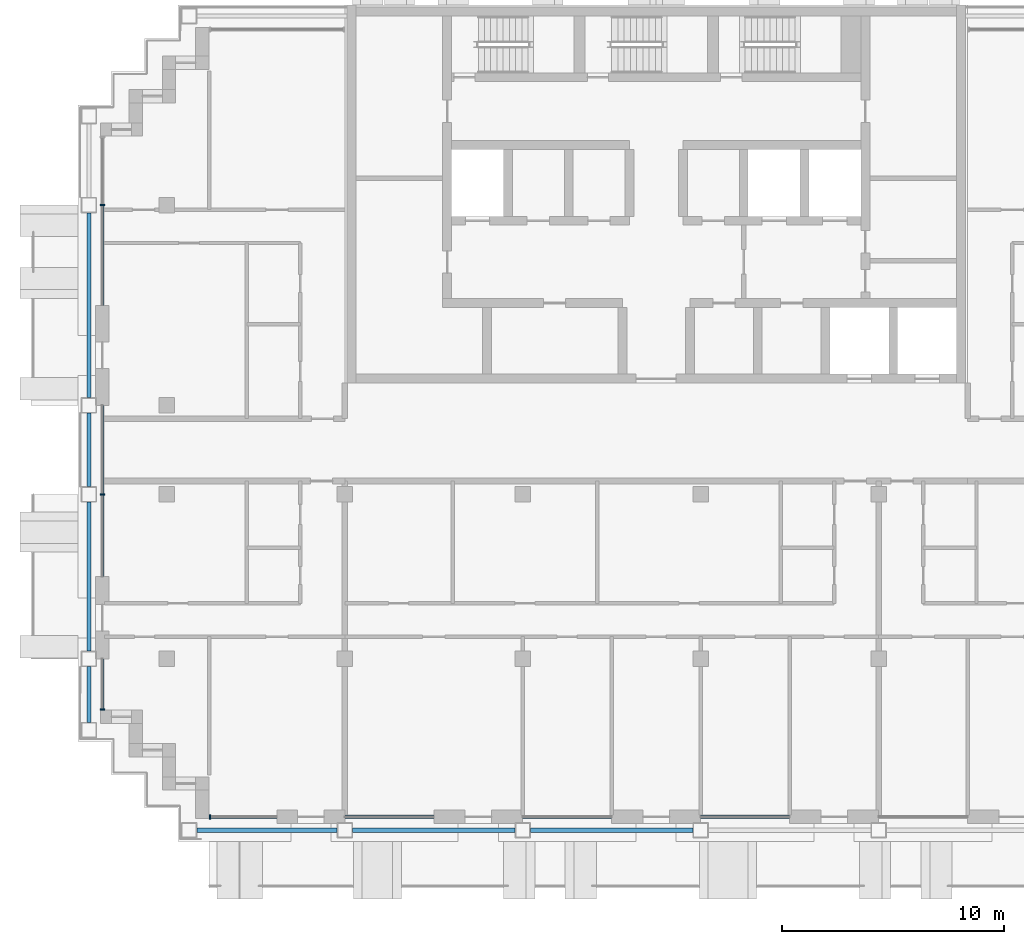
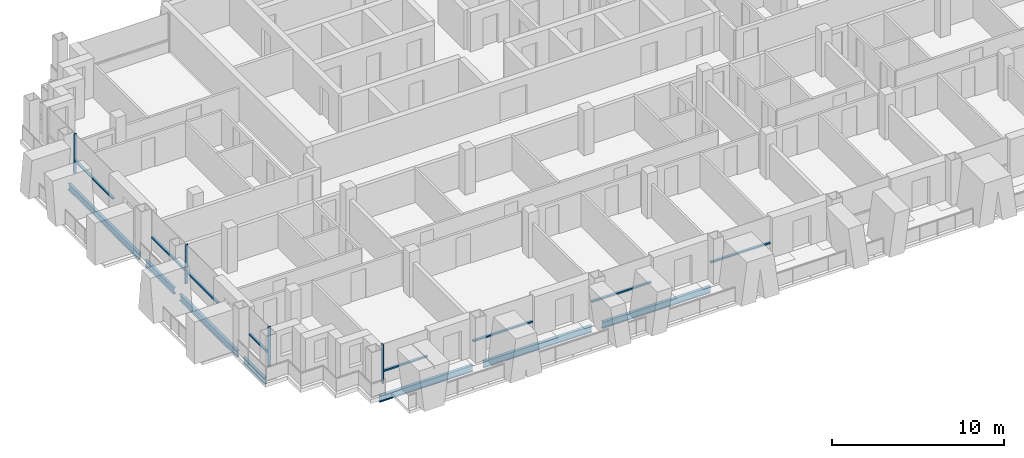
# One storey, part 2 of 16: 12 members, 7 beams, 7 elements without a shape of their own.
"""IFC4 building model written with IfcOpenShell, lengths in metres."""

from ifc_helpers import new_model, si_unit, direction, frame, origin, origin_2d, place, context, subcontext, project, spatial, rectangle, i_section, extrude, material, material_profile, profile_set, type_object, element, aggregate, save


model = new_model("IFC4")

# Units and contexts
model_context = context("Model", 3, precision=1e-05, world=origin(), true_north=direction((0.0, 1.0)))
body_context = subcontext(model_context, "Body", "Model", "MODEL_VIEW")
ifc_project = project(units=[si_unit("LENGTHUNIT", "METRE"), si_unit("AREAUNIT", "SQUARE_METRE"), si_unit("VOLUMEUNIT", "CUBIC_METRE"), si_unit("PLANEANGLEUNIT", "RADIAN"), si_unit("MASSUNIT", "GRAM", prefix="KILO")], contexts=[model_context])

# Site, building, storey
site_placement = place(None, origin())
site = spatial("IfcSite", under=ifc_project, at=site_placement, CompositionType="ELEMENT")
building_placement = place(site_placement, origin())
building = spatial("IfcBuilding", under=site, at=building_placement, Name="Vidyagriha Tower", CompositionType="ELEMENT")
storey_placement = place(building_placement, frame((0.0, 0.0, 190.89990234375)))
storey = spatial("IfcBuildingStorey", under=building, at=storey_placement, Name="L50", CompositionType="ELEMENT", Elevation=190.89990234375)

# Beams
ifc_material_1 = material(Name="Steel ASTM A992 Grade 50", Category="steel")
ifc_material_profile_1 = material_profile(ifc_material_1, i_section(OverallWidth=0.19189453125, OverallDepth=0.46240234375, WebThickness=0.010498046875, FlangeThickness=0.017578125, at=origin_2d()), Name="W18X60")
ifc_profile_set_1 = profile_set([ifc_material_profile_1], Name="Steel ASTM A992 Grade 50")
beam_type = type_object("IfcBeamType", Name="Edge beam W18X60", PredefinedType="SPANDREL", material=ifc_profile_set_1)
beam_1_placement = place(storey_placement, frame((-20.64990234375, -17.10009765625, -0.510986328125), z_axis=(1.0, 0.0, 0.0), x_axis=(0.0, 1.0, 0.0)))
element("IfcBeam", 1, at=beam_1_placement, inside=storey, type_object=beam_type, Name="st-beam-L50-S01", PredefinedType="SPANDREL", context=body_context, shape_type="SweptSolid", body=[
    extrude(i_section(OverallWidth=0.19189453125, OverallDepth=0.46240234375, WebThickness=0.010498046875, FlangeThickness=0.017578125, at=origin_2d()), origin(), (0.0, 0.0, 1.0), 6.2998046875),
])
for number, where, z_axis, x_axis, name in (
    (2, (-13.64990234375, -17.10009765625, -0.510986328125), (1.0, 0.0, 0.0), (0.0, 1.0, 0.0), "st-beam-L50-S02"),
    (3, (-5.64990234375, -17.10009765625, -0.510986328125), (1.0, 0.0, 0.0), (0.0, 1.0, 0.0), "st-beam-L50-S03"),
):
    element("IfcBeam", number, at=place(storey_placement, frame(where, z_axis=z_axis, x_axis=x_axis)), inside=storey, type_object=beam_type, Name=name, PredefinedType="SPANDREL", context=body_context, shape_type="SweptSolid", body=[
        extrude(i_section(OverallWidth=0.19189453125, OverallDepth=0.46240234375, WebThickness=0.010498046875, FlangeThickness=0.017578125, at=origin_2d()), origin(), (0.0, 0.0, 1.0), 7.2998046875),
    ])
beam_2_placement = place(storey_placement, frame((-25.5, -12.25, -0.510986328125), z_axis=(0.0, 1.0, 0.0), x_axis=(-1.0, 0.0, 0.0)))
element("IfcBeam", 4, at=beam_2_placement, inside=storey, type_object=beam_type, Name="st-beam-L50-W08", PredefinedType="SPANDREL", context=body_context, shape_type="SweptSolid", body=[
    extrude(i_section(OverallWidth=0.19189453125, OverallDepth=0.46240234375, WebThickness=0.010498046875, FlangeThickness=0.017578125, at=origin_2d()), origin(), (0.0, 0.0, 1.0), 2.5),
])
beam_3_placement = place(storey_placement, frame((-25.5, -9.050048828125, -0.510986328125), z_axis=(0.0, 1.0, 0.0), x_axis=(-1.0, 0.0, 0.0)))
element("IfcBeam", 5, at=beam_3_placement, inside=storey, type_object=beam_type, Name="st-beam-L50-W09", PredefinedType="SPANDREL", context=body_context, shape_type="SweptSolid", body=[
    extrude(i_section(OverallWidth=0.19189453125, OverallDepth=0.46240234375, WebThickness=0.010498046875, FlangeThickness=0.017578125, at=origin_2d()), origin(), (0.0, 0.0, 1.0), 6.699951171875),
])
beam_4_placement = place(storey_placement, frame((-25.5, -1.64990234375, -0.510986328125), z_axis=(0.0, 1.0, 0.0), x_axis=(-1.0, 0.0, 0.0)))
element("IfcBeam", 6, at=beam_4_placement, inside=storey, type_object=beam_type, Name="st-beam-L50-W10", PredefinedType="SPANDREL", context=body_context, shape_type="SweptSolid", body=[
    extrude(i_section(OverallWidth=0.19189453125, OverallDepth=0.46240234375, WebThickness=0.010498046875, FlangeThickness=0.017578125, at=origin_2d()), origin(), (0.0, 0.0, 1.0), 3.2998046875),
])
beam_5_placement = place(storey_placement, frame((-25.5, 2.35009765625, -0.510986328125), z_axis=(0.0, 1.0, 0.0), x_axis=(-1.0, 0.0, 0.0)))
element("IfcBeam", 7, at=beam_5_placement, inside=storey, type_object=beam_type, Name="st-beam-L50-W11", PredefinedType="SPANDREL", context=body_context, shape_type="SweptSolid", body=[
    extrude(i_section(OverallWidth=0.19189453125, OverallDepth=0.46240234375, WebThickness=0.010498046875, FlangeThickness=0.017578125, at=origin_2d()), origin(), (0.0, 0.0, 1.0), 8.2998046875),
])

# Curtain wall, member
ifc_material_2 = material(Name="Aluminium and glass curtain wall", Category="aluminium")
curtain_wall_type = type_object("IfcCurtainWallType", Name="Dwelling skin unitised curtain wall", PredefinedType="USERDEFINED", material=ifc_material_2)
curtain_wall_1_placement = place(storey_placement, origin())
curtain_wall_1 = element("IfcCurtainWall", 8, at=curtain_wall_1_placement, inside=storey, type_object=curtain_wall_type, Name="CW1 dwelling skin", ObjectType="UNITISED", PredefinedType="USERDEFINED")
ifc_material_3 = material(Name="Aluminium black anodised", Category="aluminium")
ifc_material_profile_2 = material_profile(ifc_material_3, rectangle(XDim=0.199951171875, YDim=0.070068359375, at=origin_2d()), Name="Mullion 70x200 black aluminium")
ifc_profile_set_2 = profile_set([ifc_material_profile_2], Name="Aluminium black anodised")
member_type_1 = type_object("IfcMemberType", Name="Mullion 70x200 black aluminium", PredefinedType="MULLION", material=ifc_profile_set_2)
member_1_placement = place(storey_placement, frame((-24.89990234375, 11.0, 0.0)))
member_1 = element("IfcMember", 9, at=member_1_placement, type_object=member_type_1, Name="CW1 mullion 2", PredefinedType="MULLION", context=body_context, shape_type="SweptSolid", body=[
    extrude(rectangle(XDim=0.199951171875, YDim=0.070068359375, at=origin_2d()), origin(), (0.0, 0.0, 1.0), 2.800048828125),
])

curtain_wall_2_placement = place(storey_placement, origin())
curtain_wall_2 = element("IfcCurtainWall", 10, at=curtain_wall_2_placement, inside=storey, type_object=curtain_wall_type, Name="CW1 dwelling skin", ObjectType="UNITISED", PredefinedType="USERDEFINED")
member_2_placement = place(storey_placement, frame((-24.89990234375, -2.0, 0.0)))
member_2 = element("IfcMember", 11, at=member_2_placement, type_object=member_type_1, Name="CW1 mullion 2", PredefinedType="MULLION", context=body_context, shape_type="SweptSolid", body=[
    extrude(rectangle(XDim=0.199951171875, YDim=0.070068359375, at=origin_2d()), origin(), (0.0, 0.0, 1.0), 2.800048828125),
])

curtain_wall_3_placement = place(storey_placement, origin())
curtain_wall_3 = element("IfcCurtainWall", 12, at=curtain_wall_3_placement, inside=storey, type_object=curtain_wall_type, Name="CW1 dwelling skin", ObjectType="UNITISED", PredefinedType="USERDEFINED")
member_3_placement = place(storey_placement, frame((-24.89990234375, -11.6650390625, 0.0)))
member_3 = element("IfcMember", 13, at=member_3_placement, type_object=member_type_1, Name="CW1 mullion 2", PredefinedType="MULLION", context=body_context, shape_type="SweptSolid", body=[
    extrude(rectangle(XDim=0.199951171875, YDim=0.070068359375, at=origin_2d()), origin(), (0.0, 0.0, 1.0), 2.800048828125),
])

curtain_wall_4_placement = place(storey_placement, origin())
curtain_wall_4 = element("IfcCurtainWall", 14, at=curtain_wall_4_placement, inside=storey, type_object=curtain_wall_type, Name="CW1 dwelling skin", ObjectType="UNITISED", PredefinedType="USERDEFINED")
member_4_placement = place(storey_placement, frame((-20.06494140625, -16.5, 0.0), z_axis=(0.0, 0.0, 1.0), x_axis=(0.0, 1.0, 0.0)))
member_4 = element("IfcMember", 15, at=member_4_placement, type_object=member_type_1, Name="CW1 mullion 1", PredefinedType="MULLION", context=body_context, shape_type="SweptSolid", body=[
    extrude(rectangle(XDim=0.199951171875, YDim=0.070068359375, at=origin_2d()), origin(), (0.0, 0.0, 1.0), 2.800048828125),
])

# Member
ifc_material_4 = material(Name="Aluminium black anodised", Category="aluminium")
ifc_material_profile_3 = material_profile(ifc_material_4, rectangle(XDim=0.159912109375, YDim=0.10009765625, at=origin_2d()), Name="Transom 100x160 black aluminium")
ifc_profile_set_3 = profile_set([ifc_material_profile_3], Name="Aluminium black anodised")
member_type_2 = type_object("IfcMemberType", Name="Transom 100x160 black aluminium", PredefinedType="USERDEFINED", material=ifc_profile_set_3)
member_5_placement = place(storey_placement, frame((-24.89990234375, 10.965087890625, 0.900146484375), z_axis=(0.0, -1.0, 0.0), x_axis=(1.0, 0.0, 0.0)))
member_5 = element("IfcMember", 16, at=member_5_placement, type_object=member_type_2, Name="CW1 transom 2.1", ObjectType="TRANSOM", PredefinedType="USERDEFINED", context=body_context, shape_type="SweptSolid", body=[
    extrude(rectangle(XDim=0.159912109375, YDim=0.10009765625, at=origin_2d()), origin(), (0.0, 0.0, 1.0), 4.465087890625),
])

aggregate(curtain_wall_1, [member_1, member_5])

member_6_placement = place(storey_placement, frame((-24.89990234375, 2.0, 0.900146484375), z_axis=(0.0, -1.0, 0.0), x_axis=(1.0, 0.0, 0.0)))
member_6 = element("IfcMember", 17, at=member_6_placement, type_object=member_type_2, Name="CW1 transom 1.1", ObjectType="TRANSOM", PredefinedType="USERDEFINED", context=body_context, shape_type="SweptSolid", body=[
    extrude(rectangle(XDim=0.159912109375, YDim=0.10009765625, at=origin_2d()), origin(), (0.0, 0.0, 1.0), 3.965087890625),
])

member_7_placement = place(storey_placement, frame((-24.89990234375, -2.034912109375, 0.900146484375), z_axis=(0.0, -1.0, 0.0), x_axis=(1.0, 0.0, 0.0)))
member_7 = element("IfcMember", 18, at=member_7_placement, type_object=member_type_2, Name="CW1 transom 2.1", ObjectType="TRANSOM", PredefinedType="USERDEFINED", context=body_context, shape_type="SweptSolid", body=[
    extrude(rectangle(XDim=0.159912109375, YDim=0.10009765625, at=origin_2d()), origin(), (0.0, 0.0, 1.0), 3.6650390625),
])

aggregate(curtain_wall_2, [member_2, member_6, member_7])

member_8_placement = place(storey_placement, frame((-24.89990234375, -9.39990234375, 0.900146484375), z_axis=(0.0, -1.0, 0.0), x_axis=(1.0, 0.0, 0.0)))
member_8 = element("IfcMember", 19, at=member_8_placement, type_object=member_type_2, Name="CW1 transom 1.1", ObjectType="TRANSOM", PredefinedType="USERDEFINED", context=body_context, shape_type="SweptSolid", body=[
    extrude(rectangle(XDim=0.159912109375, YDim=0.10009765625, at=origin_2d()), origin(), (0.0, 0.0, 1.0), 2.22998046875),
])

aggregate(curtain_wall_3, [member_3, member_8])

member_9_placement = place(storey_placement, frame((-20.030029296875, -16.5, 0.900146484375), z_axis=(1.0, 0.0, 0.0), x_axis=(0.0, 1.0, 0.0)))
member_9 = element("IfcMember", 20, at=member_9_placement, type_object=member_type_2, Name="CW1 transom 1.1", ObjectType="TRANSOM", PredefinedType="USERDEFINED", context=body_context, shape_type="SweptSolid", body=[
    extrude(rectangle(XDim=0.159912109375, YDim=0.10009765625, at=origin_2d()), origin(), (0.0, 0.0, 1.0), 2.97998046875),
])

aggregate(curtain_wall_4, [member_4, member_9])

# Curtain wall, member
curtain_wall_5_placement = place(storey_placement, origin())
curtain_wall_5 = element("IfcCurtainWall", 21, at=curtain_wall_5_placement, inside=storey, type_object=curtain_wall_type, Name="CW1 dwelling skin", ObjectType="UNITISED", PredefinedType="USERDEFINED")
member_10_placement = place(storey_placement, frame((-14.0, -16.5, 0.900146484375), z_axis=(1.0, 0.0, 0.0), x_axis=(0.0, 1.0, 0.0)))
member_10 = element("IfcMember", 22, at=member_10_placement, type_object=member_type_2, Name="CW1 transom 1.1", ObjectType="TRANSOM", PredefinedType="USERDEFINED", context=body_context, shape_type="SweptSolid", body=[
    extrude(rectangle(XDim=0.159912109375, YDim=0.10009765625, at=origin_2d()), origin(), (0.0, 0.0, 1.0), 4.0),
])
aggregate(curtain_wall_5, [member_10])

curtain_wall_6_placement = place(storey_placement, origin())
curtain_wall_6 = element("IfcCurtainWall", 23, at=curtain_wall_6_placement, inside=storey, type_object=curtain_wall_type, Name="CW1 dwelling skin", ObjectType="UNITISED", PredefinedType="USERDEFINED")
member_11_placement = place(storey_placement, frame((-6.0, -16.5, 0.900146484375), z_axis=(1.0, 0.0, 0.0), x_axis=(0.0, 1.0, 0.0)))
member_11 = element("IfcMember", 24, at=member_11_placement, type_object=member_type_2, Name="CW1 transom 1.1", ObjectType="TRANSOM", PredefinedType="USERDEFINED", context=body_context, shape_type="SweptSolid", body=[
    extrude(rectangle(XDim=0.159912109375, YDim=0.10009765625, at=origin_2d()), origin(), (0.0, 0.0, 1.0), 4.0),
])
aggregate(curtain_wall_6, [member_11])

curtain_wall_7_placement = place(storey_placement, origin())
curtain_wall_7 = element("IfcCurtainWall", 25, at=curtain_wall_7_placement, inside=storey, type_object=curtain_wall_type, Name="CW1 dwelling skin", ObjectType="UNITISED", PredefinedType="USERDEFINED")
member_12_placement = place(storey_placement, frame((2.0, -16.5, 0.900146484375), z_axis=(1.0, 0.0, 0.0), x_axis=(0.0, 1.0, 0.0)))
member_12 = element("IfcMember", 26, at=member_12_placement, type_object=member_type_2, Name="CW1 transom 1.1", ObjectType="TRANSOM", PredefinedType="USERDEFINED", context=body_context, shape_type="SweptSolid", body=[
    extrude(rectangle(XDim=0.159912109375, YDim=0.10009765625, at=origin_2d()), origin(), (0.0, 0.0, 1.0), 4.0),
])
aggregate(curtain_wall_7, [member_12])

save(model, "model.ifc")
